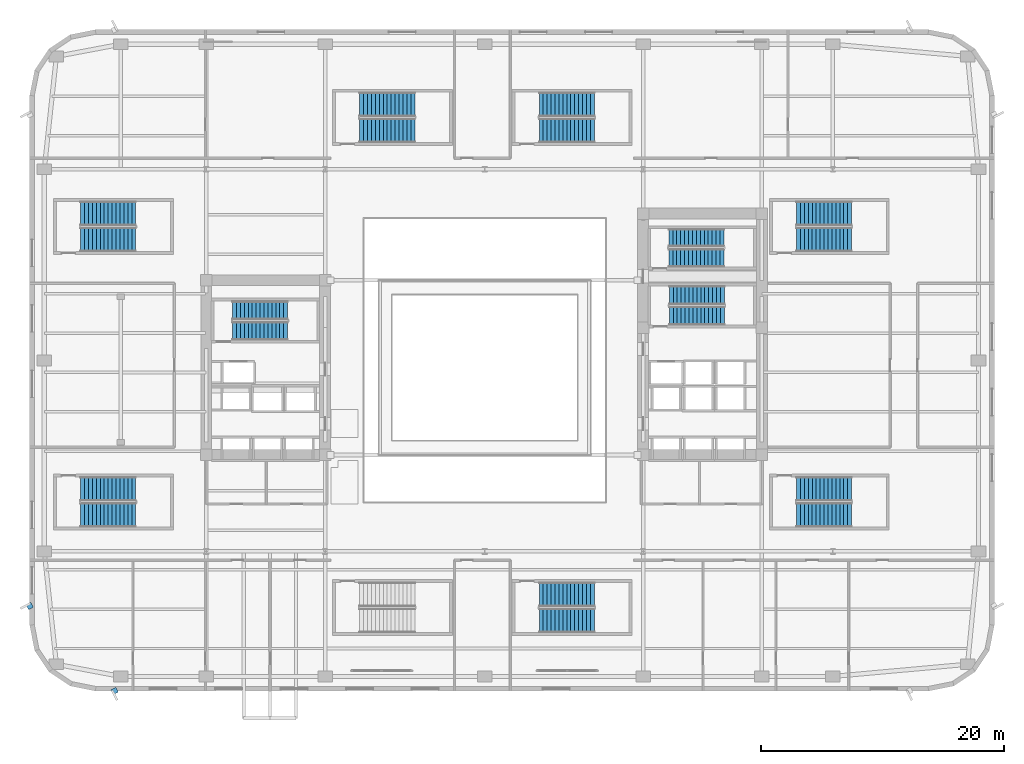
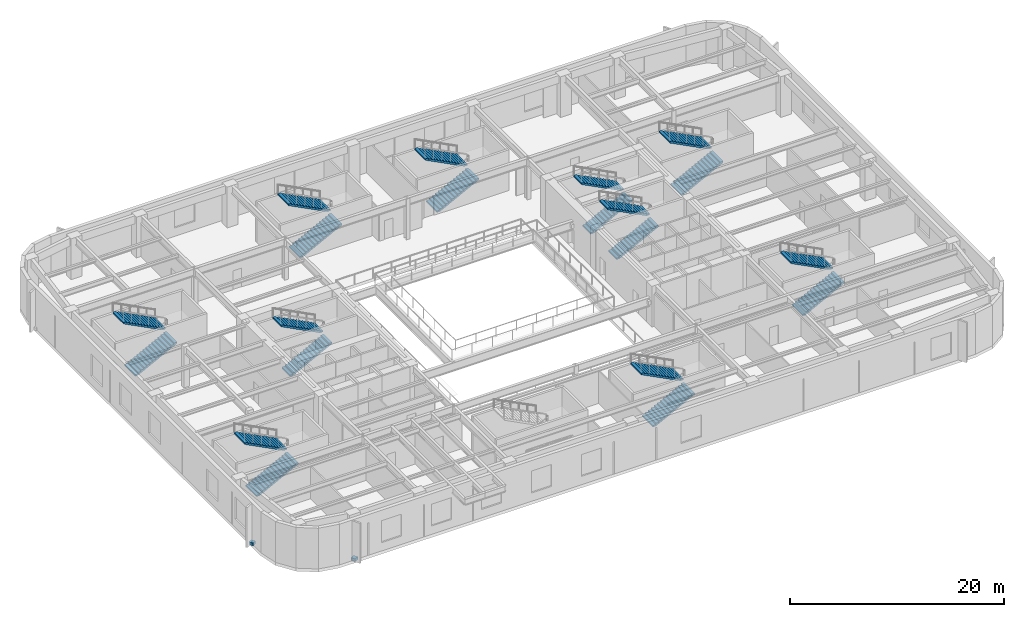
# One storey, part 12 of 24: 20 stair flights, 2 discrete accessories, 10 elements without a shape of their own.
"""IFC4 building model written with IfcOpenShell, lengths in metres."""

from ifc_helpers import new_model, si_unit, direction, frame, origin, origin_2d, place, context, subcontext, project, spatial, polyline, rectangle, outline, extrude, material, type_object, element, aggregate, save


model = new_model("IFC4")

# Units and contexts
model_context = context("Model", 3, precision=1e-05, world=origin(), true_north=direction((0.0, 1.0)))
body_context = subcontext(model_context, "Body", "Model", "MODEL_VIEW")
ifc_project = project(units=[si_unit("LENGTHUNIT", "METRE"), si_unit("AREAUNIT", "SQUARE_METRE"), si_unit("VOLUMEUNIT", "CUBIC_METRE"), si_unit("PLANEANGLEUNIT", "RADIAN"), si_unit("MASSUNIT", "GRAM", prefix="KILO")], contexts=[model_context])

# Site, building, storey
site_placement = place(None, origin())
site = spatial("IfcSite", under=ifc_project, at=site_placement, CompositionType="ELEMENT")
building_placement = place(site_placement, origin())
building = spatial("IfcBuilding", under=site, at=building_placement, Name="Kolvaren Arena Tower", CompositionType="ELEMENT")
storey_placement = place(building_placement, frame((0.0, 0.0, 23.0)))
storey = spatial("IfcBuildingStorey", under=building, at=storey_placement, Name="L04", CompositionType="ELEMENT", Elevation=23.0)

# Stair, stair flights
ifc_material_1 = material(Name="Concrete 45 MPa", Category="concrete")
stair_type_1 = type_object("IfcStairType", Name="STAIR-CORE-150", PredefinedType="HALF_TURN_STAIR", material=ifc_material_1)
stair_1_placement = place(storey_placement, origin())
stair_1 = element("IfcStair", 1, at=stair_1_placement, inside=storey, type_object=stair_type_1, Name="L04 ST-E2", PredefinedType="HALF_TURN_STAIR")
stair_flight_type_1 = type_object("IfcStairFlightType", Name="FLT-150", PredefinedType="STRAIGHT", material=ifc_material_1)
stair_flight_1_placement = place(storey_placement, frame((52.679931640625, 35.699951171875, 0.0), z_axis=(0.0, 0.0, 1.0), x_axis=(1.0, 0.0, 0.0)))
stair_flight_1 = element("IfcStairFlight", 2, at=stair_flight_1_placement, type_object=stair_flight_type_1, Name="ST-E2 flight 1", NumberOfRisers=15, NumberOfTreads=14, PredefinedType="STRAIGHT", RiserHeight=0.166666667, TreadLength=0.324, context=body_context, shape_type="SweptSolid", body=[
    extrude(outline(polyline([(0.0, 0.0), (0.0, 0.166748046875), (0.323974609375, 0.166748046875), (0.323974609375, 0.333251953125), (0.64794921875, 0.333251953125), (0.64794921875, 0.5), (0.971923828125, 0.5), (0.971923828125, 0.666748046875), (1.2958984375, 0.666748046875), (1.2958984375, 0.833251953125), (1.6201171875, 0.833251953125), (1.6201171875, 1.0), (1.944091796875, 1.0), (1.944091796875, 1.166748046875), (2.26806640625, 1.166748046875), (2.26806640625, 1.333251953125), (2.592041015625, 1.333251953125), (2.592041015625, 1.5), (2.916015625, 1.5), (2.916015625, 1.666748046875), (3.239990234375, 1.666748046875), (3.239990234375, 1.833251953125), (3.56396484375, 1.833251953125), (3.56396484375, 2.0), (3.887939453125, 2.0), (3.887939453125, 2.166748046875), (4.2119140625, 2.166748046875), (4.2119140625, 2.333251953125), (4.535888671875, 2.333251953125), (4.535888671875, 2.5), (4.535888671875, 2.164794921875), (0.32763671875, 0.0), (0.0, 0.0)])), frame((0.0, 0.75, 0.0), z_axis=(0.0, -1.0, 0.0), x_axis=(1.0, 0.0, 0.0)), (0.0, 0.0, 1.0), 1.5),
])
stair_flight_2_placement = place(storey_placement, frame((57.216064453125, 37.35009765625, 2.5), z_axis=(0.0, 0.0, 1.0), x_axis=(-1.0, 0.0, 0.0)))
stair_flight_2 = element("IfcStairFlight", 3, at=stair_flight_2_placement, type_object=stair_flight_type_1, Name="ST-E2 flight 2", NumberOfRisers=15, NumberOfTreads=14, PredefinedType="STRAIGHT", RiserHeight=0.166666667, TreadLength=0.324, context=body_context, shape_type="SweptSolid", body=[
    extrude(outline(polyline([(0.0, 0.0), (0.0, 0.166748046875), (0.323974609375, 0.166748046875), (0.323974609375, 0.333251953125), (0.64794921875, 0.333251953125), (0.64794921875, 0.5), (0.971923828125, 0.5), (0.971923828125, 0.666748046875), (1.2958984375, 0.666748046875), (1.2958984375, 0.833251953125), (1.6201171875, 0.833251953125), (1.6201171875, 1.0), (1.944091796875, 1.0), (1.944091796875, 1.166748046875), (2.26806640625, 1.166748046875), (2.26806640625, 1.333251953125), (2.592041015625, 1.333251953125), (2.592041015625, 1.5), (2.916015625, 1.5), (2.916015625, 1.666748046875), (3.239990234375, 1.666748046875), (3.239990234375, 1.833251953125), (3.56396484375, 1.833251953125), (3.56396484375, 2.0), (3.887939453125, 2.0), (3.887939453125, 2.166748046875), (4.2119140625, 2.166748046875), (4.2119140625, 2.333251953125), (4.535888671875, 2.333251953125), (4.535888671875, 2.5), (4.535888671875, 2.164794921875), (0.32763671875, 0.0), (0.0, 0.0)])), frame((0.0, 0.75, 0.0), z_axis=(0.0, -1.0, 0.0), x_axis=(1.0, 0.0, 0.0)), (0.0, 0.0, 1.0), 1.5),
])
aggregate(stair_1, [stair_flight_1, stair_flight_2])

stair_type_2 = type_object("IfcStairType", Name="STAIR-CORE-165", PredefinedType="HALF_TURN_STAIR", material=ifc_material_1)
stair_2_placement = place(storey_placement, origin())
stair_2 = element("IfcStair", 4, at=stair_2_placement, inside=storey, type_object=stair_type_2, Name="L04 ST-W1", PredefinedType="HALF_TURN_STAIR")
stair_flight_type_2 = type_object("IfcStairFlightType", Name="FLT-165", PredefinedType="STRAIGHT", material=ifc_material_1)
stair_flight_3_placement = place(storey_placement, frame((16.719970703125, 29.669921875, 0.0), z_axis=(0.0, 0.0, 1.0), x_axis=(1.0, 0.0, 0.0)))
stair_flight_3 = element("IfcStairFlight", 5, at=stair_flight_3_placement, type_object=stair_flight_type_2, Name="ST-W1 flight 1", NumberOfRisers=15, NumberOfTreads=14, PredefinedType="STRAIGHT", RiserHeight=0.166666667, TreadLength=0.324, context=body_context, shape_type="SweptSolid", body=[
    extrude(outline(polyline([(0.0, 0.0), (0.0, 0.166748046875), (0.323974609375, 0.166748046875), (0.323974609375, 0.333251953125), (0.64794921875, 0.333251953125), (0.64794921875, 0.5), (0.971923828125, 0.5), (0.971923828125, 0.666748046875), (1.2958984375, 0.666748046875), (1.2958984375, 0.833251953125), (1.6201171875, 0.833251953125), (1.6201171875, 1.0), (1.944091796875, 1.0), (1.944091796875, 1.166748046875), (2.26806640625, 1.166748046875), (2.26806640625, 1.333251953125), (2.592041015625, 1.333251953125), (2.592041015625, 1.5), (2.916015625, 1.5), (2.916015625, 1.666748046875), (3.239990234375, 1.666748046875), (3.239990234375, 1.833251953125), (3.56396484375, 1.833251953125), (3.56396484375, 2.0), (3.887939453125, 2.0), (3.887939453125, 2.166748046875), (4.2119140625, 2.166748046875), (4.2119140625, 2.333251953125), (4.535888671875, 2.333251953125), (4.535888671875, 2.5), (4.535888671875, 2.164794921875), (0.32763671875, 0.0), (0.0, 0.0)])), frame((0.0, 0.77001953125, 0.0), z_axis=(0.0, -1.0, 0.0), x_axis=(1.0, 0.0, 0.0)), (0.0, 0.0, 1.0), 1.5400390625),
])
stair_flight_4_placement = place(storey_placement, frame((21.256103515625, 31.360107421875, 2.5), z_axis=(0.0, 0.0, 1.0), x_axis=(-1.0, 0.0, 0.0)))
stair_flight_4 = element("IfcStairFlight", 6, at=stair_flight_4_placement, type_object=stair_flight_type_2, Name="ST-W1 flight 2", NumberOfRisers=15, NumberOfTreads=14, PredefinedType="STRAIGHT", RiserHeight=0.166666667, TreadLength=0.324, context=body_context, shape_type="SweptSolid", body=[
    extrude(outline(polyline([(0.0, 0.0), (0.0, 0.166748046875), (0.323974609375, 0.166748046875), (0.323974609375, 0.333251953125), (0.64794921875, 0.333251953125), (0.64794921875, 0.5), (0.971923828125, 0.5), (0.971923828125, 0.666748046875), (1.2958984375, 0.666748046875), (1.2958984375, 0.833251953125), (1.6201171875, 0.833251953125), (1.6201171875, 1.0), (1.944091796875, 1.0), (1.944091796875, 1.166748046875), (2.26806640625, 1.166748046875), (2.26806640625, 1.333251953125), (2.592041015625, 1.333251953125), (2.592041015625, 1.5), (2.916015625, 1.5), (2.916015625, 1.666748046875), (3.239990234375, 1.666748046875), (3.239990234375, 1.833251953125), (3.56396484375, 1.833251953125), (3.56396484375, 2.0), (3.887939453125, 2.0), (3.887939453125, 2.166748046875), (4.2119140625, 2.166748046875), (4.2119140625, 2.333251953125), (4.535888671875, 2.333251953125), (4.535888671875, 2.5), (4.535888671875, 2.164794921875), (0.32763671875, 0.0), (0.0, 0.0)])), frame((0.0, 0.77001953125, 0.0), z_axis=(0.0, -1.0, 0.0), x_axis=(1.0, 0.0, 0.0)), (0.0, 0.0, 1.0), 1.5400390625),
])
aggregate(stair_2, [stair_flight_3, stair_flight_4])

stair_3_placement = place(storey_placement, origin())
stair_3 = element("IfcStair", 7, at=stair_3_placement, inside=storey, type_object=stair_type_2, Name="L04 ST-E1", PredefinedType="HALF_TURN_STAIR")
stair_flight_5_placement = place(storey_placement, frame((52.719970703125, 30.919921875, 0.0), z_axis=(0.0, 0.0, 1.0), x_axis=(1.0, 0.0, 0.0)))
stair_flight_5 = element("IfcStairFlight", 8, at=stair_flight_5_placement, type_object=stair_flight_type_2, Name="ST-E1 flight 1", NumberOfRisers=15, NumberOfTreads=14, PredefinedType="STRAIGHT", RiserHeight=0.166666667, TreadLength=0.324, context=body_context, shape_type="SweptSolid", body=[
    extrude(outline(polyline([(0.0, 0.0), (0.0, 0.166748046875), (0.323974609375, 0.166748046875), (0.323974609375, 0.333251953125), (0.64794921875, 0.333251953125), (0.64794921875, 0.5), (0.971923828125, 0.5), (0.971923828125, 0.666748046875), (1.2958984375, 0.666748046875), (1.2958984375, 0.833251953125), (1.6201171875, 0.833251953125), (1.6201171875, 1.0), (1.944091796875, 1.0), (1.944091796875, 1.166748046875), (2.26806640625, 1.166748046875), (2.26806640625, 1.333251953125), (2.592041015625, 1.333251953125), (2.592041015625, 1.5), (2.916015625, 1.5), (2.916015625, 1.666748046875), (3.239990234375, 1.666748046875), (3.239990234375, 1.833251953125), (3.56396484375, 1.833251953125), (3.56396484375, 2.0), (3.887939453125, 2.0), (3.887939453125, 2.166748046875), (4.2119140625, 2.166748046875), (4.2119140625, 2.333251953125), (4.535888671875, 2.333251953125), (4.535888671875, 2.5), (4.535888671875, 2.164794921875), (0.32763671875, 0.0), (0.0, 0.0)])), frame((0.0, 0.77001953125, 0.0), z_axis=(0.0, -1.0, 0.0), x_axis=(1.0, 0.0, 0.0)), (0.0, 0.0, 1.0), 1.5400390625),
])
stair_flight_6_placement = place(storey_placement, frame((57.256103515625, 32.610107421875, 2.5), z_axis=(0.0, 0.0, 1.0), x_axis=(-1.0, 0.0, 0.0)))
stair_flight_6 = element("IfcStairFlight", 9, at=stair_flight_6_placement, type_object=stair_flight_type_2, Name="ST-E1 flight 2", NumberOfRisers=15, NumberOfTreads=14, PredefinedType="STRAIGHT", RiserHeight=0.166666667, TreadLength=0.324, context=body_context, shape_type="SweptSolid", body=[
    extrude(outline(polyline([(0.0, 0.0), (0.0, 0.166748046875), (0.323974609375, 0.166748046875), (0.323974609375, 0.333251953125), (0.64794921875, 0.333251953125), (0.64794921875, 0.5), (0.971923828125, 0.5), (0.971923828125, 0.666748046875), (1.2958984375, 0.666748046875), (1.2958984375, 0.833251953125), (1.6201171875, 0.833251953125), (1.6201171875, 1.0), (1.944091796875, 1.0), (1.944091796875, 1.166748046875), (2.26806640625, 1.166748046875), (2.26806640625, 1.333251953125), (2.592041015625, 1.333251953125), (2.592041015625, 1.5), (2.916015625, 1.5), (2.916015625, 1.666748046875), (3.239990234375, 1.666748046875), (3.239990234375, 1.833251953125), (3.56396484375, 1.833251953125), (3.56396484375, 2.0), (3.887939453125, 2.0), (3.887939453125, 2.166748046875), (4.2119140625, 2.166748046875), (4.2119140625, 2.333251953125), (4.535888671875, 2.333251953125), (4.535888671875, 2.5), (4.535888671875, 2.164794921875), (0.32763671875, 0.0), (0.0, 0.0)])), frame((0.0, 0.77001953125, 0.0), z_axis=(0.0, -1.0, 0.0), x_axis=(1.0, 0.0, 0.0)), (0.0, 0.0, 1.0), 1.5400390625),
])
aggregate(stair_3, [stair_flight_5, stair_flight_6])

stair_type_3 = type_object("IfcStairType", Name="STAIR-ARENA-220", PredefinedType="HALF_TURN_STAIR", material=ifc_material_1)
stair_4_placement = place(storey_placement, origin())
stair_4 = element("IfcStair", 10, at=stair_4_placement, inside=storey, type_object=stair_type_3, Name="L04 ST-A1", PredefinedType="HALF_TURN_STAIR")
stair_flight_type_3 = type_object("IfcStairFlightType", Name="FLT-220", PredefinedType="STRAIGHT", material=ifc_material_1)
stair_flight_7_placement = place(storey_placement, frame((4.199951171875, 14.5, 0.0), z_axis=(0.0, 0.0, 1.0), x_axis=(1.0, 0.0, 0.0)))
stair_flight_7 = element("IfcStairFlight", 11, at=stair_flight_7_placement, type_object=stair_flight_type_3, Name="ST-A1 flight 1", NumberOfRisers=15, NumberOfTreads=14, PredefinedType="STRAIGHT", RiserHeight=0.166666667, TreadLength=0.324, context=body_context, shape_type="SweptSolid", body=[
    extrude(outline(polyline([(0.0, 0.0), (0.0, 0.166748046875), (0.323974609375, 0.166748046875), (0.323974609375, 0.333251953125), (0.64794921875, 0.333251953125), (0.64794921875, 0.5), (0.971923828125, 0.5), (0.971923828125, 0.666748046875), (1.2958984375, 0.666748046875), (1.2958984375, 0.833251953125), (1.6201171875, 0.833251953125), (1.6201171875, 1.0), (1.944091796875, 1.0), (1.944091796875, 1.166748046875), (2.26806640625, 1.166748046875), (2.26806640625, 1.333251953125), (2.592041015625, 1.333251953125), (2.592041015625, 1.5), (2.916015625, 1.5), (2.916015625, 1.666748046875), (3.239990234375, 1.666748046875), (3.239990234375, 1.833251953125), (3.56396484375, 1.833251953125), (3.56396484375, 2.0), (3.887939453125, 2.0), (3.887939453125, 2.166748046875), (4.2119140625, 2.166748046875), (4.2119140625, 2.333251953125), (4.535888671875, 2.333251953125), (4.535888671875, 2.5), (4.535888671875, 2.164794921875), (0.32763671875, 0.0), (0.0, 0.0)])), frame((0.0, 1.0, 0.0), z_axis=(0.0, -1.0, 0.0), x_axis=(1.0, 0.0, 0.0)), (0.0, 0.0, 1.0), 2.0),
])
stair_flight_8_placement = place(storey_placement, frame((8.736083984375, 16.64990234375, 2.5), z_axis=(0.0, 0.0, 1.0), x_axis=(-1.0, 0.0, 0.0)))
stair_flight_8 = element("IfcStairFlight", 12, at=stair_flight_8_placement, type_object=stair_flight_type_3, Name="ST-A1 flight 2", NumberOfRisers=15, NumberOfTreads=14, PredefinedType="STRAIGHT", RiserHeight=0.166666667, TreadLength=0.324, context=body_context, shape_type="SweptSolid", body=[
    extrude(outline(polyline([(0.0, 0.0), (0.0, 0.166748046875), (0.323974609375, 0.166748046875), (0.323974609375, 0.333251953125), (0.64794921875, 0.333251953125), (0.64794921875, 0.5), (0.971923828125, 0.5), (0.971923828125, 0.666748046875), (1.2958984375, 0.666748046875), (1.2958984375, 0.833251953125), (1.6201171875, 0.833251953125), (1.6201171875, 1.0), (1.944091796875, 1.0), (1.944091796875, 1.166748046875), (2.26806640625, 1.166748046875), (2.26806640625, 1.333251953125), (2.592041015625, 1.333251953125), (2.592041015625, 1.5), (2.916015625, 1.5), (2.916015625, 1.666748046875), (3.239990234375, 1.666748046875), (3.239990234375, 1.833251953125), (3.56396484375, 1.833251953125), (3.56396484375, 2.0), (3.887939453125, 2.0), (3.887939453125, 2.166748046875), (4.2119140625, 2.166748046875), (4.2119140625, 2.333251953125), (4.535888671875, 2.333251953125), (4.535888671875, 2.5), (4.535888671875, 2.164794921875), (0.32763671875, 0.0), (0.0, 0.0)])), frame((0.0, 1.0, 0.0), z_axis=(0.0, -1.0, 0.0), x_axis=(1.0, 0.0, 0.0)), (0.0, 0.0, 1.0), 2.0),
])
aggregate(stair_4, [stair_flight_7, stair_flight_8])

stair_5_placement = place(storey_placement, origin())
stair_5 = element("IfcStair", 13, at=stair_5_placement, inside=storey, type_object=stair_type_3, Name="L04 ST-A3", PredefinedType="HALF_TURN_STAIR")
stair_flight_9_placement = place(storey_placement, frame((42.0, 5.800048828125, 0.0), z_axis=(0.0, 0.0, 1.0), x_axis=(1.0, 0.0, 0.0)))
stair_flight_9 = element("IfcStairFlight", 14, at=stair_flight_9_placement, type_object=stair_flight_type_3, Name="ST-A3 flight 1", NumberOfRisers=15, NumberOfTreads=14, PredefinedType="STRAIGHT", RiserHeight=0.166666667, TreadLength=0.324, context=body_context, shape_type="SweptSolid", body=[
    extrude(outline(polyline([(0.0, 0.0), (0.0, 0.166748046875), (0.323974609375, 0.166748046875), (0.323974609375, 0.333251953125), (0.64794921875, 0.333251953125), (0.64794921875, 0.5), (0.971923828125, 0.5), (0.971923828125, 0.666748046875), (1.2958984375, 0.666748046875), (1.2958984375, 0.833251953125), (1.6201171875, 0.833251953125), (1.6201171875, 1.0), (1.944091796875, 1.0), (1.944091796875, 1.166748046875), (2.26806640625, 1.166748046875), (2.26806640625, 1.333251953125), (2.592041015625, 1.333251953125), (2.592041015625, 1.5), (2.916015625, 1.5), (2.916015625, 1.666748046875), (3.239990234375, 1.666748046875), (3.239990234375, 1.833251953125), (3.56396484375, 1.833251953125), (3.56396484375, 2.0), (3.887939453125, 2.0), (3.887939453125, 2.166748046875), (4.2119140625, 2.166748046875), (4.2119140625, 2.333251953125), (4.535888671875, 2.333251953125), (4.535888671875, 2.5), (4.535888671875, 2.164794921875), (0.32763671875, 0.0), (0.0, 0.0)])), frame((0.0, 1.0, 0.0), z_axis=(0.0, -1.0, 0.0), x_axis=(1.0, 0.0, 0.0)), (0.0, 0.0, 1.0), 2.0),
])
stair_flight_10_placement = place(storey_placement, frame((46.535888671875, 7.949951171875, 2.5), z_axis=(0.0, 0.0, 1.0), x_axis=(-1.0, 0.0, 0.0)))
stair_flight_10 = element("IfcStairFlight", 15, at=stair_flight_10_placement, type_object=stair_flight_type_3, Name="ST-A3 flight 2", NumberOfRisers=15, NumberOfTreads=14, PredefinedType="STRAIGHT", RiserHeight=0.166666667, TreadLength=0.324, context=body_context, shape_type="SweptSolid", body=[
    extrude(outline(polyline([(0.0, 0.0), (0.0, 0.166748046875), (0.323974609375, 0.166748046875), (0.323974609375, 0.333251953125), (0.64794921875, 0.333251953125), (0.64794921875, 0.5), (0.971923828125, 0.5), (0.971923828125, 0.666748046875), (1.2958984375, 0.666748046875), (1.2958984375, 0.833251953125), (1.6201171875, 0.833251953125), (1.6201171875, 1.0), (1.944091796875, 1.0), (1.944091796875, 1.166748046875), (2.26806640625, 1.166748046875), (2.26806640625, 1.333251953125), (2.592041015625, 1.333251953125), (2.592041015625, 1.5), (2.916015625, 1.5), (2.916015625, 1.666748046875), (3.239990234375, 1.666748046875), (3.239990234375, 1.833251953125), (3.56396484375, 1.833251953125), (3.56396484375, 2.0), (3.887939453125, 2.0), (3.887939453125, 2.166748046875), (4.2119140625, 2.166748046875), (4.2119140625, 2.333251953125), (4.535888671875, 2.333251953125), (4.535888671875, 2.5), (4.535888671875, 2.164794921875), (0.32763671875, 0.0), (0.0, 0.0)])), frame((0.0, 1.0, 0.0), z_axis=(0.0, -1.0, 0.0), x_axis=(1.0, 0.0, 0.0)), (0.0, 0.0, 1.0), 2.0),
])
aggregate(stair_5, [stair_flight_9, stair_flight_10])

stair_6_placement = place(storey_placement, origin())
stair_6 = element("IfcStair", 16, at=stair_6_placement, inside=storey, type_object=stair_type_3, Name="L04 ST-A4", PredefinedType="HALF_TURN_STAIR")
stair_flight_11_placement = place(storey_placement, frame((63.199951171875, 14.5, 0.0), z_axis=(0.0, 0.0, 1.0), x_axis=(1.0, 0.0, 0.0)))
stair_flight_11 = element("IfcStairFlight", 17, at=stair_flight_11_placement, type_object=stair_flight_type_3, Name="ST-A4 flight 1", NumberOfRisers=15, NumberOfTreads=14, PredefinedType="STRAIGHT", RiserHeight=0.166666667, TreadLength=0.324, context=body_context, shape_type="SweptSolid", body=[
    extrude(outline(polyline([(0.0, 0.0), (0.0, 0.166748046875), (0.323974609375, 0.166748046875), (0.323974609375, 0.333251953125), (0.64794921875, 0.333251953125), (0.64794921875, 0.5), (0.971923828125, 0.5), (0.971923828125, 0.666748046875), (1.2958984375, 0.666748046875), (1.2958984375, 0.833251953125), (1.6201171875, 0.833251953125), (1.6201171875, 1.0), (1.944091796875, 1.0), (1.944091796875, 1.166748046875), (2.26806640625, 1.166748046875), (2.26806640625, 1.333251953125), (2.592041015625, 1.333251953125), (2.592041015625, 1.5), (2.916015625, 1.5), (2.916015625, 1.666748046875), (3.239990234375, 1.666748046875), (3.239990234375, 1.833251953125), (3.56396484375, 1.833251953125), (3.56396484375, 2.0), (3.887939453125, 2.0), (3.887939453125, 2.166748046875), (4.2119140625, 2.166748046875), (4.2119140625, 2.333251953125), (4.535888671875, 2.333251953125), (4.535888671875, 2.5), (4.535888671875, 2.164794921875), (0.32763671875, 0.0), (0.0, 0.0)])), frame((0.0, 1.0, 0.0), z_axis=(0.0, -1.0, 0.0), x_axis=(1.0, 0.0, 0.0)), (0.0, 0.0, 1.0), 2.0),
])
stair_flight_12_placement = place(storey_placement, frame((67.736083984375, 16.64990234375, 2.5), z_axis=(0.0, 0.0, 1.0), x_axis=(-1.0, 0.0, 0.0)))
stair_flight_12 = element("IfcStairFlight", 18, at=stair_flight_12_placement, type_object=stair_flight_type_3, Name="ST-A4 flight 2", NumberOfRisers=15, NumberOfTreads=14, PredefinedType="STRAIGHT", RiserHeight=0.166666667, TreadLength=0.324, context=body_context, shape_type="SweptSolid", body=[
    extrude(outline(polyline([(0.0, 0.0), (0.0, 0.166748046875), (0.323974609375, 0.166748046875), (0.323974609375, 0.333251953125), (0.64794921875, 0.333251953125), (0.64794921875, 0.5), (0.971923828125, 0.5), (0.971923828125, 0.666748046875), (1.2958984375, 0.666748046875), (1.2958984375, 0.833251953125), (1.6201171875, 0.833251953125), (1.6201171875, 1.0), (1.944091796875, 1.0), (1.944091796875, 1.166748046875), (2.26806640625, 1.166748046875), (2.26806640625, 1.333251953125), (2.592041015625, 1.333251953125), (2.592041015625, 1.5), (2.916015625, 1.5), (2.916015625, 1.666748046875), (3.239990234375, 1.666748046875), (3.239990234375, 1.833251953125), (3.56396484375, 1.833251953125), (3.56396484375, 2.0), (3.887939453125, 2.0), (3.887939453125, 2.166748046875), (4.2119140625, 2.166748046875), (4.2119140625, 2.333251953125), (4.535888671875, 2.333251953125), (4.535888671875, 2.5), (4.535888671875, 2.164794921875), (0.32763671875, 0.0), (0.0, 0.0)])), frame((0.0, 1.0, 0.0), z_axis=(0.0, -1.0, 0.0), x_axis=(1.0, 0.0, 0.0)), (0.0, 0.0, 1.0), 2.0),
])
aggregate(stair_6, [stair_flight_11, stair_flight_12])

stair_7_placement = place(storey_placement, origin())
stair_7 = element("IfcStair", 19, at=stair_7_placement, inside=storey, type_object=stair_type_3, Name="L04 ST-A5", PredefinedType="HALF_TURN_STAIR")
stair_flight_13_placement = place(storey_placement, frame((4.199951171875, 37.199951171875, 0.0), z_axis=(0.0, 0.0, 1.0), x_axis=(1.0, 0.0, 0.0)))
stair_flight_13 = element("IfcStairFlight", 20, at=stair_flight_13_placement, type_object=stair_flight_type_3, Name="ST-A5 flight 1", NumberOfRisers=15, NumberOfTreads=14, PredefinedType="STRAIGHT", RiserHeight=0.166666667, TreadLength=0.324, context=body_context, shape_type="SweptSolid", body=[
    extrude(outline(polyline([(0.0, 0.0), (0.0, 0.166748046875), (0.323974609375, 0.166748046875), (0.323974609375, 0.333251953125), (0.64794921875, 0.333251953125), (0.64794921875, 0.5), (0.971923828125, 0.5), (0.971923828125, 0.666748046875), (1.2958984375, 0.666748046875), (1.2958984375, 0.833251953125), (1.6201171875, 0.833251953125), (1.6201171875, 1.0), (1.944091796875, 1.0), (1.944091796875, 1.166748046875), (2.26806640625, 1.166748046875), (2.26806640625, 1.333251953125), (2.592041015625, 1.333251953125), (2.592041015625, 1.5), (2.916015625, 1.5), (2.916015625, 1.666748046875), (3.239990234375, 1.666748046875), (3.239990234375, 1.833251953125), (3.56396484375, 1.833251953125), (3.56396484375, 2.0), (3.887939453125, 2.0), (3.887939453125, 2.166748046875), (4.2119140625, 2.166748046875), (4.2119140625, 2.333251953125), (4.535888671875, 2.333251953125), (4.535888671875, 2.5), (4.535888671875, 2.164794921875), (0.32763671875, 0.0), (0.0, 0.0)])), frame((0.0, 1.0, 0.0), z_axis=(0.0, -1.0, 0.0), x_axis=(1.0, 0.0, 0.0)), (0.0, 0.0, 1.0), 2.0),
])
stair_flight_14_placement = place(storey_placement, frame((8.736083984375, 39.35009765625, 2.5), z_axis=(0.0, 0.0, 1.0), x_axis=(-1.0, 0.0, 0.0)))
stair_flight_14 = element("IfcStairFlight", 21, at=stair_flight_14_placement, type_object=stair_flight_type_3, Name="ST-A5 flight 2", NumberOfRisers=15, NumberOfTreads=14, PredefinedType="STRAIGHT", RiserHeight=0.166666667, TreadLength=0.324, context=body_context, shape_type="SweptSolid", body=[
    extrude(outline(polyline([(0.0, 0.0), (0.0, 0.166748046875), (0.323974609375, 0.166748046875), (0.323974609375, 0.333251953125), (0.64794921875, 0.333251953125), (0.64794921875, 0.5), (0.971923828125, 0.5), (0.971923828125, 0.666748046875), (1.2958984375, 0.666748046875), (1.2958984375, 0.833251953125), (1.6201171875, 0.833251953125), (1.6201171875, 1.0), (1.944091796875, 1.0), (1.944091796875, 1.166748046875), (2.26806640625, 1.166748046875), (2.26806640625, 1.333251953125), (2.592041015625, 1.333251953125), (2.592041015625, 1.5), (2.916015625, 1.5), (2.916015625, 1.666748046875), (3.239990234375, 1.666748046875), (3.239990234375, 1.833251953125), (3.56396484375, 1.833251953125), (3.56396484375, 2.0), (3.887939453125, 2.0), (3.887939453125, 2.166748046875), (4.2119140625, 2.166748046875), (4.2119140625, 2.333251953125), (4.535888671875, 2.333251953125), (4.535888671875, 2.5), (4.535888671875, 2.164794921875), (0.32763671875, 0.0), (0.0, 0.0)])), frame((0.0, 1.0, 0.0), z_axis=(0.0, -1.0, 0.0), x_axis=(1.0, 0.0, 0.0)), (0.0, 0.0, 1.0), 2.0),
])
aggregate(stair_7, [stair_flight_13, stair_flight_14])

stair_8_placement = place(storey_placement, origin())
stair_8 = element("IfcStair", 22, at=stair_8_placement, inside=storey, type_object=stair_type_3, Name="L04 ST-A6", PredefinedType="HALF_TURN_STAIR")
stair_flight_15_placement = place(storey_placement, frame((27.199951171875, 46.199951171875, 0.0), z_axis=(0.0, 0.0, 1.0), x_axis=(1.0, 0.0, 0.0)))
stair_flight_15 = element("IfcStairFlight", 23, at=stair_flight_15_placement, type_object=stair_flight_type_3, Name="ST-A6 flight 1", NumberOfRisers=15, NumberOfTreads=14, PredefinedType="STRAIGHT", RiserHeight=0.166666667, TreadLength=0.324, context=body_context, shape_type="SweptSolid", body=[
    extrude(outline(polyline([(0.0, 0.0), (0.0, 0.166748046875), (0.323974609375, 0.166748046875), (0.323974609375, 0.333251953125), (0.64794921875, 0.333251953125), (0.64794921875, 0.5), (0.971923828125, 0.5), (0.971923828125, 0.666748046875), (1.2958984375, 0.666748046875), (1.2958984375, 0.833251953125), (1.6201171875, 0.833251953125), (1.6201171875, 1.0), (1.944091796875, 1.0), (1.944091796875, 1.166748046875), (2.26806640625, 1.166748046875), (2.26806640625, 1.333251953125), (2.592041015625, 1.333251953125), (2.592041015625, 1.5), (2.916015625, 1.5), (2.916015625, 1.666748046875), (3.239990234375, 1.666748046875), (3.239990234375, 1.833251953125), (3.56396484375, 1.833251953125), (3.56396484375, 2.0), (3.887939453125, 2.0), (3.887939453125, 2.166748046875), (4.2119140625, 2.166748046875), (4.2119140625, 2.333251953125), (4.535888671875, 2.333251953125), (4.535888671875, 2.5), (4.535888671875, 2.164794921875), (0.32763671875, 0.0), (0.0, 0.0)])), frame((0.0, 1.0, 0.0), z_axis=(0.0, -1.0, 0.0), x_axis=(1.0, 0.0, 0.0)), (0.0, 0.0, 1.0), 2.0),
])
stair_flight_16_placement = place(storey_placement, frame((31.736083984375, 48.35009765625, 2.5), z_axis=(0.0, 0.0, 1.0), x_axis=(-1.0, 0.0, 0.0)))
stair_flight_16 = element("IfcStairFlight", 24, at=stair_flight_16_placement, type_object=stair_flight_type_3, Name="ST-A6 flight 2", NumberOfRisers=15, NumberOfTreads=14, PredefinedType="STRAIGHT", RiserHeight=0.166666667, TreadLength=0.324, context=body_context, shape_type="SweptSolid", body=[
    extrude(outline(polyline([(0.0, 0.0), (0.0, 0.166748046875), (0.323974609375, 0.166748046875), (0.323974609375, 0.333251953125), (0.64794921875, 0.333251953125), (0.64794921875, 0.5), (0.971923828125, 0.5), (0.971923828125, 0.666748046875), (1.2958984375, 0.666748046875), (1.2958984375, 0.833251953125), (1.6201171875, 0.833251953125), (1.6201171875, 1.0), (1.944091796875, 1.0), (1.944091796875, 1.166748046875), (2.26806640625, 1.166748046875), (2.26806640625, 1.333251953125), (2.592041015625, 1.333251953125), (2.592041015625, 1.5), (2.916015625, 1.5), (2.916015625, 1.666748046875), (3.239990234375, 1.666748046875), (3.239990234375, 1.833251953125), (3.56396484375, 1.833251953125), (3.56396484375, 2.0), (3.887939453125, 2.0), (3.887939453125, 2.166748046875), (4.2119140625, 2.166748046875), (4.2119140625, 2.333251953125), (4.535888671875, 2.333251953125), (4.535888671875, 2.5), (4.535888671875, 2.164794921875), (0.32763671875, 0.0), (0.0, 0.0)])), frame((0.0, 1.0, 0.0), z_axis=(0.0, -1.0, 0.0), x_axis=(1.0, 0.0, 0.0)), (0.0, 0.0, 1.0), 2.0),
])
aggregate(stair_8, [stair_flight_15, stair_flight_16])

stair_9_placement = place(storey_placement, origin())
stair_9 = element("IfcStair", 25, at=stair_9_placement, inside=storey, type_object=stair_type_3, Name="L04 ST-A7", PredefinedType="HALF_TURN_STAIR")
stair_flight_17_placement = place(storey_placement, frame((42.0, 46.199951171875, 0.0), z_axis=(0.0, 0.0, 1.0), x_axis=(1.0, 0.0, 0.0)))
stair_flight_17 = element("IfcStairFlight", 26, at=stair_flight_17_placement, type_object=stair_flight_type_3, Name="ST-A7 flight 1", NumberOfRisers=15, NumberOfTreads=14, PredefinedType="STRAIGHT", RiserHeight=0.166666667, TreadLength=0.324, context=body_context, shape_type="SweptSolid", body=[
    extrude(outline(polyline([(0.0, 0.0), (0.0, 0.166748046875), (0.323974609375, 0.166748046875), (0.323974609375, 0.333251953125), (0.64794921875, 0.333251953125), (0.64794921875, 0.5), (0.971923828125, 0.5), (0.971923828125, 0.666748046875), (1.2958984375, 0.666748046875), (1.2958984375, 0.833251953125), (1.6201171875, 0.833251953125), (1.6201171875, 1.0), (1.944091796875, 1.0), (1.944091796875, 1.166748046875), (2.26806640625, 1.166748046875), (2.26806640625, 1.333251953125), (2.592041015625, 1.333251953125), (2.592041015625, 1.5), (2.916015625, 1.5), (2.916015625, 1.666748046875), (3.239990234375, 1.666748046875), (3.239990234375, 1.833251953125), (3.56396484375, 1.833251953125), (3.56396484375, 2.0), (3.887939453125, 2.0), (3.887939453125, 2.166748046875), (4.2119140625, 2.166748046875), (4.2119140625, 2.333251953125), (4.535888671875, 2.333251953125), (4.535888671875, 2.5), (4.535888671875, 2.164794921875), (0.32763671875, 0.0), (0.0, 0.0)])), frame((0.0, 1.0, 0.0), z_axis=(0.0, -1.0, 0.0), x_axis=(1.0, 0.0, 0.0)), (0.0, 0.0, 1.0), 2.0),
])
stair_flight_18_placement = place(storey_placement, frame((46.535888671875, 48.35009765625, 2.5), z_axis=(0.0, 0.0, 1.0), x_axis=(-1.0, 0.0, 0.0)))
stair_flight_18 = element("IfcStairFlight", 27, at=stair_flight_18_placement, type_object=stair_flight_type_3, Name="ST-A7 flight 2", NumberOfRisers=15, NumberOfTreads=14, PredefinedType="STRAIGHT", RiserHeight=0.166666667, TreadLength=0.324, context=body_context, shape_type="SweptSolid", body=[
    extrude(outline(polyline([(0.0, 0.0), (0.0, 0.166748046875), (0.323974609375, 0.166748046875), (0.323974609375, 0.333251953125), (0.64794921875, 0.333251953125), (0.64794921875, 0.5), (0.971923828125, 0.5), (0.971923828125, 0.666748046875), (1.2958984375, 0.666748046875), (1.2958984375, 0.833251953125), (1.6201171875, 0.833251953125), (1.6201171875, 1.0), (1.944091796875, 1.0), (1.944091796875, 1.166748046875), (2.26806640625, 1.166748046875), (2.26806640625, 1.333251953125), (2.592041015625, 1.333251953125), (2.592041015625, 1.5), (2.916015625, 1.5), (2.916015625, 1.666748046875), (3.239990234375, 1.666748046875), (3.239990234375, 1.833251953125), (3.56396484375, 1.833251953125), (3.56396484375, 2.0), (3.887939453125, 2.0), (3.887939453125, 2.166748046875), (4.2119140625, 2.166748046875), (4.2119140625, 2.333251953125), (4.535888671875, 2.333251953125), (4.535888671875, 2.5), (4.535888671875, 2.164794921875), (0.32763671875, 0.0), (0.0, 0.0)])), frame((0.0, 1.0, 0.0), z_axis=(0.0, -1.0, 0.0), x_axis=(1.0, 0.0, 0.0)), (0.0, 0.0, 1.0), 2.0),
])
aggregate(stair_9, [stair_flight_17, stair_flight_18])

stair_10_placement = place(storey_placement, origin())
stair_10 = element("IfcStair", 28, at=stair_10_placement, inside=storey, type_object=stair_type_3, Name="L04 ST-A8", PredefinedType="HALF_TURN_STAIR")
stair_flight_19_placement = place(storey_placement, frame((63.199951171875, 37.199951171875, 0.0), z_axis=(0.0, 0.0, 1.0), x_axis=(1.0, 0.0, 0.0)))
stair_flight_19 = element("IfcStairFlight", 29, at=stair_flight_19_placement, type_object=stair_flight_type_3, Name="ST-A8 flight 1", NumberOfRisers=15, NumberOfTreads=14, PredefinedType="STRAIGHT", RiserHeight=0.166666667, TreadLength=0.324, context=body_context, shape_type="SweptSolid", body=[
    extrude(outline(polyline([(0.0, 0.0), (0.0, 0.166748046875), (0.323974609375, 0.166748046875), (0.323974609375, 0.333251953125), (0.64794921875, 0.333251953125), (0.64794921875, 0.5), (0.971923828125, 0.5), (0.971923828125, 0.666748046875), (1.2958984375, 0.666748046875), (1.2958984375, 0.833251953125), (1.6201171875, 0.833251953125), (1.6201171875, 1.0), (1.944091796875, 1.0), (1.944091796875, 1.166748046875), (2.26806640625, 1.166748046875), (2.26806640625, 1.333251953125), (2.592041015625, 1.333251953125), (2.592041015625, 1.5), (2.916015625, 1.5), (2.916015625, 1.666748046875), (3.239990234375, 1.666748046875), (3.239990234375, 1.833251953125), (3.56396484375, 1.833251953125), (3.56396484375, 2.0), (3.887939453125, 2.0), (3.887939453125, 2.166748046875), (4.2119140625, 2.166748046875), (4.2119140625, 2.333251953125), (4.535888671875, 2.333251953125), (4.535888671875, 2.5), (4.535888671875, 2.164794921875), (0.32763671875, 0.0), (0.0, 0.0)])), frame((0.0, 1.0, 0.0), z_axis=(0.0, -1.0, 0.0), x_axis=(1.0, 0.0, 0.0)), (0.0, 0.0, 1.0), 2.0),
])
stair_flight_20_placement = place(storey_placement, frame((67.736083984375, 39.35009765625, 2.5), z_axis=(0.0, 0.0, 1.0), x_axis=(-1.0, 0.0, 0.0)))
stair_flight_20 = element("IfcStairFlight", 30, at=stair_flight_20_placement, type_object=stair_flight_type_3, Name="ST-A8 flight 2", NumberOfRisers=15, NumberOfTreads=14, PredefinedType="STRAIGHT", RiserHeight=0.166666667, TreadLength=0.324, context=body_context, shape_type="SweptSolid", body=[
    extrude(outline(polyline([(0.0, 0.0), (0.0, 0.166748046875), (0.323974609375, 0.166748046875), (0.323974609375, 0.333251953125), (0.64794921875, 0.333251953125), (0.64794921875, 0.5), (0.971923828125, 0.5), (0.971923828125, 0.666748046875), (1.2958984375, 0.666748046875), (1.2958984375, 0.833251953125), (1.6201171875, 0.833251953125), (1.6201171875, 1.0), (1.944091796875, 1.0), (1.944091796875, 1.166748046875), (2.26806640625, 1.166748046875), (2.26806640625, 1.333251953125), (2.592041015625, 1.333251953125), (2.592041015625, 1.5), (2.916015625, 1.5), (2.916015625, 1.666748046875), (3.239990234375, 1.666748046875), (3.239990234375, 1.833251953125), (3.56396484375, 1.833251953125), (3.56396484375, 2.0), (3.887939453125, 2.0), (3.887939453125, 2.166748046875), (4.2119140625, 2.166748046875), (4.2119140625, 2.333251953125), (4.535888671875, 2.333251953125), (4.535888671875, 2.5), (4.535888671875, 2.164794921875), (0.32763671875, 0.0), (0.0, 0.0)])), frame((0.0, 1.0, 0.0), z_axis=(0.0, -1.0, 0.0), x_axis=(1.0, 0.0, 0.0)), (0.0, 0.0, 1.0), 2.0),
])
aggregate(stair_10, [stair_flight_19, stair_flight_20])

# Discrete accessories
ifc_material_2 = material(Name="Stainless steel facade support bracket", Category="steel")
discrete_accessory_type = type_object("IfcDiscreteAccessoryType", Name="ACC-BRKT-1", PredefinedType="BRACKET", material=ifc_material_2)
for number, where, z_axis, x_axis, name in (
    (31, (0.0, 7.0, 0.02001953125), (0.0, 0.0, 1.0), (-0.882947592859, -0.469471562786, 0.0), "Arena Fin Anchor Bracket (L04)"),
    (32, (7.0, 0.0, 0.02001953125), (0.0, 0.0, 1.0), (0.469471562786, -0.882947592859, 0.0), "Arena Fin Anchor Bracket (L04)"),
):
    element("IfcDiscreteAccessory", number, at=place(storey_placement, frame(where, z_axis=z_axis, x_axis=x_axis)), inside=storey, type_object=discrete_accessory_type, Name=name, PredefinedType="BRACKET", context=body_context, shape_type="SweptSolid", body=[
        extrude(rectangle(XDim=0.449951171875, YDim=0.449951171875, at=origin_2d()), origin(), (0.0, 0.0, 1.0), 0.300048828125),
    ])

save(model, "model.ifc")
